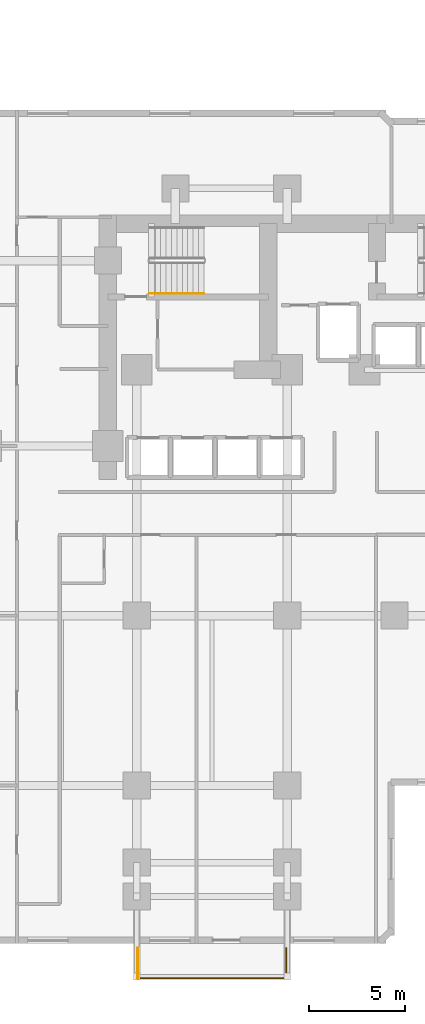
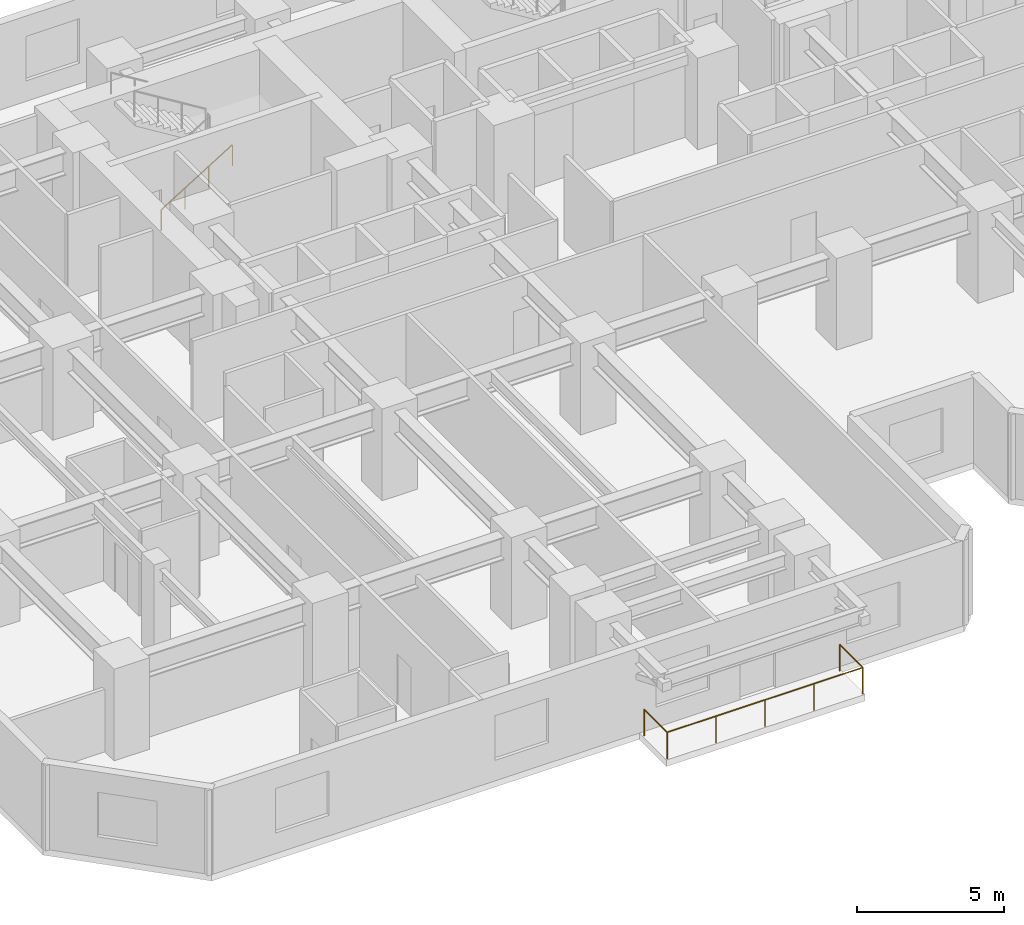
# One storey, part 10 of 11: 3 railings.
"""IFC4 building model written with IfcOpenShell, lengths in metres."""

from ifc_helpers import new_model, si_unit, direction, frame, origin, origin_2d, place, context, subcontext, project, spatial, circle, extrude, material, type_object, element, save


model = new_model("IFC4")

# Units and contexts
model_context = context("Model", 3, precision=1e-05, world=origin(), true_north=direction((0.0, 1.0)))
body_context = subcontext(model_context, "Body", "Model", "MODEL_VIEW")
ifc_project = project(units=[si_unit("LENGTHUNIT", "METRE"), si_unit("AREAUNIT", "SQUARE_METRE"), si_unit("VOLUMEUNIT", "CUBIC_METRE"), si_unit("PLANEANGLEUNIT", "RADIAN"), si_unit("MASSUNIT", "GRAM", prefix="KILO")], contexts=[model_context])

# Site, building, storey
site_placement = place(None, origin())
site = spatial("IfcSite", under=ifc_project, at=site_placement, CompositionType="ELEMENT")
building_placement = place(site_placement, origin())
building = spatial("IfcBuilding", under=site, at=building_placement, Name="Kestravale Grand Hotel", CompositionType="ELEMENT")
storey_placement = place(building_placement, frame((0.0, 0.0, 29.800048828125)))
storey = spatial("IfcBuildingStorey", under=building, at=storey_placement, Name="L06", CompositionType="ELEMENT", Elevation=29.800048828125)

# Railings
ifc_material_1 = material(Name="Champagne-bronze stainless steel and laminated glass guard", Category="steel")
railing_type_1 = type_object("IfcRailingType", Name="RL-EXT-1100", PredefinedType="GUARDRAIL", material=ifc_material_1)
railing_1_placement = place(storey_placement, frame((23.4599609375, 1.2099609375, 0.0)))
element("IfcRailing", 1, at=railing_1_placement, inside=storey, type_object=railing_type_1, Name="L06 outdoor terrace guard 1", PredefinedType="GUARDRAIL", context=body_context, shape_type="SweptSolid", body=[
    extrude(circle(Radius=0.02392578125, at=origin_2d()), frame((0.0, 0.0, 1.09619140625), z_axis=(0.0, 1.0, 0.0), x_axis=(-1.0, 0.0, 0.0)), (0.0, 0.0, 1.0), 1.570068359375),
    extrude(circle(Radius=0.02099609375, at=origin_2d()), origin(), (0.0, 0.0, 1.0), 1.072021484375),
    extrude(circle(Radius=0.02099609375, at=origin_2d()), frame((0.0, 1.570068359375, 0.0)), (0.0, 0.0, 1.0), 1.072021484375),
])
railing_2_placement = place(storey_placement, frame((31.139892578125, 2.780029296875, 0.0)))
element("IfcRailing", 2, at=railing_2_placement, inside=storey, type_object=railing_type_1, Name="L06 outdoor terrace guard 2", PredefinedType="GUARDRAIL", context=body_context, shape_type="SweptSolid", body=[
    extrude(circle(Radius=0.02392578125, at=origin_2d()), frame((0.0, 0.0, 1.09619140625), z_axis=(0.0, -1.0, 0.0), x_axis=(1.0, 0.0, 0.0)), (0.0, 0.0, 1.0), 1.570068359375),
    extrude(circle(Radius=0.02392578125, at=origin_2d()), frame((0.0, -1.570068359375, 1.09619140625), z_axis=(-1.0, 0.0, 0.0), x_axis=(0.0, -1.0, 0.0)), (0.0, 0.0, 1.0), 7.679931640625),
    extrude(circle(Radius=0.02099609375, at=origin_2d()), origin(), (0.0, 0.0, 1.0), 1.072021484375),
    extrude(circle(Radius=0.02099609375, at=origin_2d()), frame((0.0, -1.570068359375, 0.0)), (0.0, 0.0, 1.0), 1.072021484375),
    extrude(circle(Radius=0.02099609375, at=origin_2d()), frame((-1.919921875, -1.570068359375, 0.0)), (0.0, 0.0, 1.0), 1.072021484375),
    extrude(circle(Radius=0.02099609375, at=origin_2d()), frame((-3.83984375, -1.570068359375, 0.0)), (0.0, 0.0, 1.0), 1.072021484375),
    extrude(circle(Radius=0.02099609375, at=origin_2d()), frame((-5.760009765625, -1.570068359375, 0.0)), (0.0, 0.0, 1.0), 1.072021484375),
    extrude(circle(Radius=0.02099609375, at=origin_2d()), frame((-7.679931640625, -1.570068359375, 0.0)), (0.0, 0.0, 1.0), 1.072021484375),
])
ifc_material_2 = material(Name="Brushed stainless steel wall handrail", Category="steel")
railing_type_2 = type_object("IfcRailingType", Name="RL-ST-HND900", PredefinedType="HANDRAIL", material=ifc_material_2)
railing_3_placement = place(storey_placement, frame((24.080078125, 36.699951171875, 0.172607421875)))
element("IfcRailing", 3, at=railing_3_placement, inside=storey, type_object=railing_type_2, Name="L06 ST-1 stair handrail 1", PredefinedType="HANDRAIL", context=body_context, shape_type="SweptSolid", body=[
    extrude(circle(Radius=0.02392578125, at=origin_2d()), frame((0.0, 0.0, 0.8759765625), z_axis=(0.851069175582, 0.0, 0.525053576669), x_axis=(0.0, 1.0, 0.0)), (0.0, 0.0, 1.0), 3.289794921875),
    extrude(circle(Radius=0.02099609375, at=origin_2d()), origin(), (0.0, 0.0, 1.0), 0.851806640625),
    extrude(circle(Radius=0.02099609375, at=origin_2d()), frame((0.933349609375, 0.0, 0.57568359375)), (0.0, 0.0, 1.0), 0.851806640625),
    extrude(circle(Radius=0.02099609375, at=origin_2d()), frame((1.866455078125, 0.0, 1.151611328125)), (0.0, 0.0, 1.0), 0.851806640625),
    extrude(circle(Radius=0.02099609375, at=origin_2d()), frame((2.7998046875, 0.0, 1.727294921875)), (0.0, 0.0, 1.0), 0.851806640625),
])

save(model, "model.ifc")
